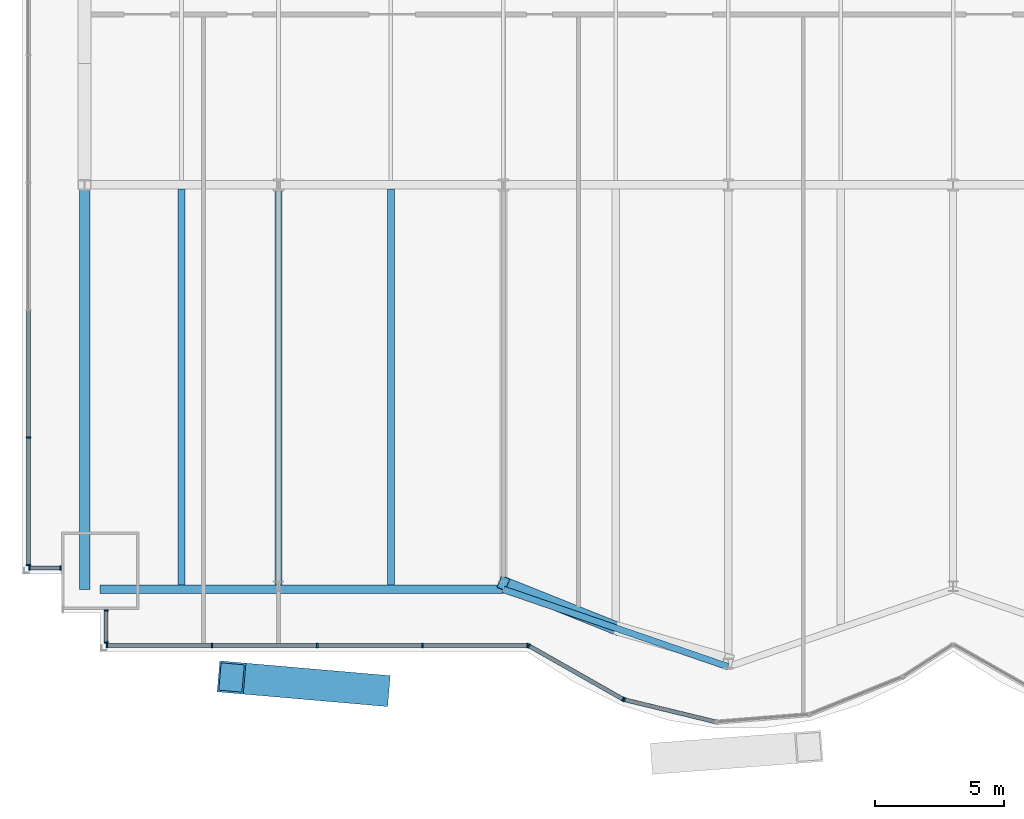
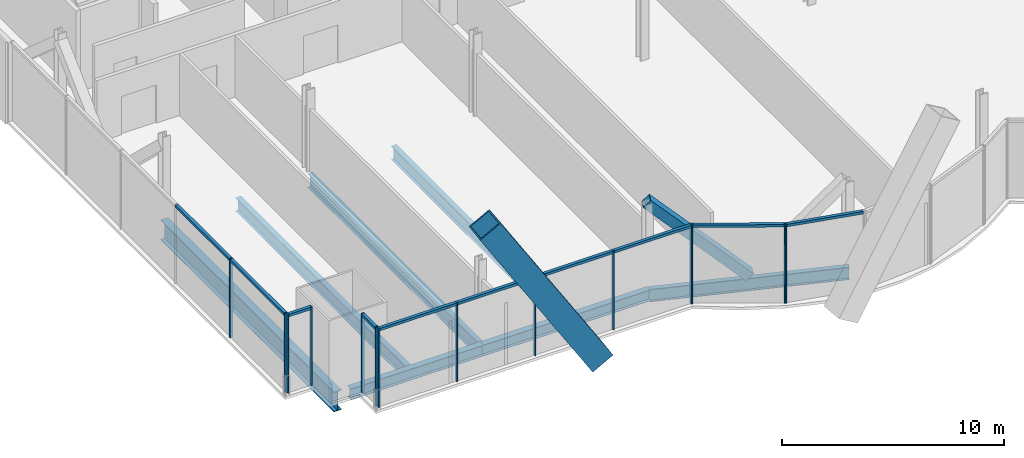
# One storey, part 4 of 22: 26 members, 7 beams, 5 elements without a shape of their own.
"""IFC4 building model written with IfcOpenShell, lengths in metres."""

from ifc_helpers import new_model, si_unit, direction, frame, origin, origin_2d, place, context, subcontext, project, spatial, rectangle, hollow_rectangle, i_section, extrude, material, material_profile, profile_set, type_object, element, aggregate, save


model = new_model("IFC4")

# Units and contexts
model_context = context("Model", 3, precision=1e-05, world=origin(), true_north=direction((0.0, 1.0)))
body_context = subcontext(model_context, "Body", "Model", "MODEL_VIEW")
ifc_project = project(units=[si_unit("LENGTHUNIT", "METRE"), si_unit("AREAUNIT", "SQUARE_METRE"), si_unit("VOLUMEUNIT", "CUBIC_METRE"), si_unit("PLANEANGLEUNIT", "RADIAN"), si_unit("MASSUNIT", "GRAM", prefix="KILO")], contexts=[model_context])

# Site, building, storey
site_placement = place(None, origin())
site = spatial("IfcSite", under=ifc_project, at=site_placement, CompositionType="ELEMENT")
building_placement = place(site_placement, origin())
building = spatial("IfcBuilding", under=site, at=building_placement, Name="Bicima Exchange Tower", CompositionType="ELEMENT")
storey_placement = place(building_placement, frame((0.0, 0.0, 71.0)))
storey = spatial("IfcBuildingStorey", under=building, at=storey_placement, Name="L14", CompositionType="ELEMENT", Elevation=71.0)

# Curtain wall, members
ifc_material_1 = material(Name="Anodised bronze aluminium", Category="aluminium")
curtain_wall_type_1 = type_object("IfcCurtainWallType", Name="End face glass wall", PredefinedType="NOTDEFINED", material=ifc_material_1)
curtain_wall_1_placement = place(storey_placement, origin())
curtain_wall_1 = element("IfcCurtainWall", 1, at=curtain_wall_1_placement, inside=storey, type_object=curtain_wall_type_1, Name="End face glass wall L14 run 2", PredefinedType="NOTDEFINED")
ifc_material_profile_1 = material_profile(ifc_material_1, rectangle(XDim=0.159912109375, YDim=0.06005859375, at=origin_2d()))
ifc_profile_set_1 = profile_set([ifc_material_profile_1], Name="Anodised bronze aluminium")
member_type_1 = type_object("IfcMemberType", Name="End face glass wall mullion 60 x 160", PredefinedType="MULLION", material=ifc_profile_set_1)
member_1_placement = place(storey_placement, frame((-35.77001953125, -31.7724609375, 0.0), z_axis=(0.0, 0.0, 1.0), x_axis=(1.0, 0.0, 0.0)))
member_1 = element("IfcMember", 2, at=member_1_placement, type_object=member_type_1, Name="End face glass wall mullion 5", PredefinedType="MULLION", context=body_context, shape_type="SweptSolid", body=[
    extrude(rectangle(XDim=0.159912109375, YDim=0.06005859375, at=origin_2d()), origin(), (0.0, 0.0, 1.0), 4.35009765625),
])
member_2_placement = place(storey_placement, frame((-35.77001953125, -36.7080078125, 0.0), z_axis=(0.0, 0.0, 1.0), x_axis=(1.0, 0.0, 0.0)))
member_2 = element("IfcMember", 3, at=member_2_placement, type_object=member_type_1, Name="End face glass wall mullion 6", PredefinedType="MULLION", context=body_context, shape_type="SweptSolid", body=[
    extrude(rectangle(XDim=0.159912109375, YDim=0.06005859375, at=origin_2d()), origin(), (0.0, 0.0, 1.0), 4.35009765625),
])
ifc_material_profile_2 = material_profile(ifc_material_1, rectangle(XDim=0.159912109375, YDim=0.139892578125, at=origin_2d()))
ifc_profile_set_2 = profile_set([ifc_material_profile_2], Name="Anodised bronze aluminium")
member_type_2 = type_object("IfcMemberType", Name="End face glass wall transom 140 x 160", PredefinedType="USERDEFINED", material=ifc_profile_set_2)
member_3_placement = place(storey_placement, frame((-35.77001953125, -26.86669921875, 4.280029296875), z_axis=(0.0, -1.0, 0.0), x_axis=(1.0, 0.0, 0.0)))
member_3 = element("IfcMember", 4, at=member_3_placement, type_object=member_type_2, Name="End face glass wall transom 4.1", ObjectType="TRANSOM", PredefinedType="USERDEFINED", context=body_context, shape_type="SweptSolid", body=[
    extrude(rectangle(XDim=0.159912109375, YDim=0.139892578125, at=origin_2d()), origin(), (0.0, 0.0, 1.0), 4.875732421875),
])
member_4_placement = place(storey_placement, frame((-35.77001953125, -31.802490234375, 4.280029296875), z_axis=(0.0, -1.0, 0.0), x_axis=(1.0, 0.0, 0.0)))
member_4 = element("IfcMember", 5, at=member_4_placement, type_object=member_type_2, Name="End face glass wall transom 5.1", ObjectType="TRANSOM", PredefinedType="USERDEFINED", context=body_context, shape_type="SweptSolid", body=[
    extrude(rectangle(XDim=0.159912109375, YDim=0.139892578125, at=origin_2d()), origin(), (0.0, 0.0, 1.0), 4.87548828125),
])
aggregate(curtain_wall_1, [member_1, member_2, member_3, member_4])

# Beam
ifc_material_2 = material(Name="Steel ASTM A992 Gr 50", Category="steel")
ifc_material_profile_3 = material_profile(ifc_material_2, i_section(OverallWidth=0.4013671875, OverallDepth=1.089599609375, WebThickness=0.01806640625, FlangeThickness=0.031005859375, at=origin_2d()))
ifc_profile_set_3 = profile_set([ifc_material_profile_3], Name="Steel ASTM A992 Gr 50")
beam_type_1 = type_object("IfcBeamType", Name="End girder W44x230", PredefinedType="BEAM", material=ifc_profile_set_3)
beam_1_placement = place(storey_placement, frame((-33.60009765625, -22.0, -0.69482421875), z_axis=(0.0, -1.0, 0.0), x_axis=(1.0, 0.0, 0.0)))
element("IfcBeam", 6, at=beam_1_placement, inside=storey, type_object=beam_type_1, Name="End girder", PredefinedType="BEAM", context=body_context, shape_type="SweptSolid", body=[
    extrude(i_section(OverallWidth=0.4013671875, OverallDepth=1.089599609375, WebThickness=0.01806640625, FlangeThickness=0.031005859375, at=origin_2d()), origin(), (0.0, 0.0, 1.0), 15.64794921875),
])

# Member
ifc_material_3 = material(Name="Steel ASTM A572 Gr 50", Category="steel")
ifc_material_profile_4 = material_profile(ifc_material_3, hollow_rectangle(XDim=1.199951171875, YDim=1.199951171875, WallThickness=0.070068359375, at=origin_2d()))
ifc_profile_set_4 = profile_set([ifc_material_profile_4], Name="Steel ASTM A572 Gr 50")
member_type_3 = type_object("IfcMemberType", Name="Exo mega brace BOX 1200x1200x70", PredefinedType="BRACE", material=ifc_profile_set_4)
member_5_placement = place(storey_placement, frame((-22.333251953125, -41.539794921875, 0.14990234375), z_axis=(-0.529804339421, 0.045914831689, 0.846876136257), x_axis=(-0.086340124838, -0.996265718994, 0.0)))
element("IfcMember", 7, at=member_5_placement, inside=storey, type_object=member_type_3, Name="Exo mega brace front", PredefinedType="BRACE", context=body_context, shape_type="SweptSolid", body=[
    extrude(hollow_rectangle(XDim=1.199951171875, YDim=1.199951171875, WallThickness=0.070068359375, at=origin_2d()), origin(), (0.0, 0.0, 1.0), 10.538818359375),
])

# Beams
ifc_material_profile_5 = material_profile(ifc_material_2, i_section(OverallWidth=0.2666015625, OverallDepth=0.75439453125, WebThickness=0.01318359375, FlangeThickness=0.01708984375, at=origin_2d()))
ifc_profile_set_5 = profile_set([ifc_material_profile_5], Name="Steel ASTM A992 Gr 50")
beam_type_2 = type_object("IfcBeamType", Name="Floor beam W30x99", PredefinedType="JOIST", material=ifc_profile_set_5)
for number, where, z_axis, x_axis, name in (
    (8, (-29.85009765625, -22.16259765625, -0.527099609375), (0.0, -1.0, 0.0), (1.0, 0.0, 0.0), "Floor beam"),
    (9, (-26.10009765625, -22.16259765625, -0.527099609375), (0.0, -1.0, 0.0), (1.0, 0.0, 0.0), "Floor beam"),
    (10, (-21.75, -22.16259765625, -0.527099609375), (0.0, -1.0, 0.0), (1.0, 0.0, 0.0), "Floor beam"),
):
    element("IfcBeam", number, at=place(storey_placement, frame(where, z_axis=z_axis, x_axis=x_axis)), inside=storey, type_object=beam_type_2, Name=name, PredefinedType="JOIST", context=body_context, shape_type="SweptSolid", body=[
        extrude(i_section(OverallWidth=0.2666015625, OverallDepth=0.75439453125, WebThickness=0.01318359375, FlangeThickness=0.01708984375, at=origin_2d()), origin(), (0.0, 0.0, 1.0), 15.32275390625),
    ])
ifc_material_profile_6 = material_profile(ifc_material_2, i_section(OverallWidth=0.3251953125, OverallDepth=0.612060546875, WebThickness=0.0126953125, FlangeThickness=0.01904296875, at=origin_2d()))
ifc_profile_set_6 = profile_set([ifc_material_profile_6], Name="Steel ASTM A992 Gr 50")
beam_type_3 = type_object("IfcBeamType", Name="Front girder W24x104", PredefinedType="BEAM", material=ifc_profile_set_6)
beam_2_placement = place(storey_placement, frame((-33.0, -37.64794921875, -0.4560546875), z_axis=(1.0, 0.0, 0.0), x_axis=(0.0, 1.0, 0.0)))
element("IfcBeam", 11, at=beam_2_placement, inside=storey, type_object=beam_type_3, Name="Front girder", PredefinedType="BEAM", context=body_context, shape_type="SweptSolid", body=[
    extrude(i_section(OverallWidth=0.3251953125, OverallDepth=0.612060546875, WebThickness=0.0126953125, FlangeThickness=0.01904296875, at=origin_2d()), origin(), (0.0, 0.0, 1.0), 6.89990234375),
])
beam_3_placement = place(storey_placement, frame((-26.10009765625, -37.64794921875, -0.4560546875), z_axis=(1.0, 0.0, 0.0), x_axis=(0.0, 1.0, 0.0)))
element("IfcBeam", 12, at=beam_3_placement, inside=storey, type_object=beam_type_3, Name="Front girder", PredefinedType="BEAM", context=body_context, shape_type="SweptSolid", body=[
    extrude(i_section(OverallWidth=0.3251953125, OverallDepth=0.612060546875, WebThickness=0.0126953125, FlangeThickness=0.01904296875, at=origin_2d()), origin(), (0.0, 0.0, 1.0), 8.7001953125),
])
ifc_material_profile_7 = material_profile(ifc_material_2, i_section(OverallWidth=0.256591796875, OverallDepth=0.693359375, WebThickness=0.014404296875, FlangeThickness=0.023681640625, at=origin_2d()))
ifc_profile_set_7 = profile_set([ifc_material_profile_7], Name="Steel ASTM A992 Gr 50")
beam_type_4 = type_object("IfcBeamType", Name="Front girder W27x114", PredefinedType="BEAM", material=ifc_profile_set_7)
beam_4_placement = place(storey_placement, frame((-17.39990234375, -37.64794921875, -0.49658203125), z_axis=(0.945666456746, -0.325138359143, 0.0), x_axis=(0.325138359143, 0.945666456746, 0.0)))
element("IfcBeam", 13, at=beam_4_placement, inside=storey, type_object=beam_type_4, Name="Front girder", PredefinedType="BEAM", context=body_context, shape_type="SweptSolid", body=[
    extrude(i_section(OverallWidth=0.256591796875, OverallDepth=0.693359375, WebThickness=0.014404296875, FlangeThickness=0.023681640625, at=origin_2d()), origin(), (0.0, 0.0, 1.0), 9.19970703125),
])

# Curtain wall, members
curtain_wall_type_2 = type_object("IfcCurtainWallType", Name="Front glass wall", PredefinedType="NOTDEFINED", material=ifc_material_1)
curtain_wall_2_placement = place(storey_placement, origin())
curtain_wall_2 = element("IfcCurtainWall", 14, at=curtain_wall_2_placement, inside=storey, type_object=curtain_wall_type_2, Name="Front glass wall L14 run 3", PredefinedType="NOTDEFINED")
member_type_4 = type_object("IfcMemberType", Name="Front glass wall mullion 60 x 160", PredefinedType="MULLION", material=ifc_profile_set_1)
member_6_placement = place(storey_placement, frame((-35.739990234375, -36.818115234375, 0.0), z_axis=(0.0, 0.0, 1.0), x_axis=(0.0, 1.0, 0.0)))
member_6 = element("IfcMember", 15, at=member_6_placement, type_object=member_type_4, Name="Front glass wall mullion 1", PredefinedType="MULLION", context=body_context, shape_type="SweptSolid", body=[
    extrude(rectangle(XDim=0.159912109375, YDim=0.06005859375, at=origin_2d()), origin(), (0.0, 0.0, 1.0), 4.35009765625),
])
member_7_placement = place(storey_placement, frame((-34.530029296875, -36.818115234375, 0.0), z_axis=(0.0, 0.0, 1.0), x_axis=(0.0, 1.0, 0.0)))
member_7 = element("IfcMember", 16, at=member_7_placement, type_object=member_type_4, Name="Front glass wall mullion 2", PredefinedType="MULLION", context=body_context, shape_type="SweptSolid", body=[
    extrude(rectangle(XDim=0.159912109375, YDim=0.06005859375, at=origin_2d()), origin(), (0.0, 0.0, 1.0), 4.35009765625),
])

curtain_wall_3_placement = place(storey_placement, origin())
curtain_wall_3 = element("IfcCurtainWall", 17, at=curtain_wall_3_placement, inside=storey, type_object=curtain_wall_type_2, Name="Front glass wall L14 run 4", PredefinedType="NOTDEFINED")
member_8_placement = place(storey_placement, frame((-32.77001953125, -38.4560546875, 0.0), z_axis=(0.0, 0.0, 1.0), x_axis=(1.0, 0.0, 0.0)))
member_8 = element("IfcMember", 18, at=member_8_placement, type_object=member_type_4, Name="Front glass wall mullion 1", PredefinedType="MULLION", context=body_context, shape_type="SweptSolid", body=[
    extrude(rectangle(XDim=0.159912109375, YDim=0.06005859375, at=origin_2d()), origin(), (0.0, 0.0, 1.0), 4.35009765625),
])
member_9_placement = place(storey_placement, frame((-32.77001953125, -39.7080078125, 0.0), z_axis=(0.0, 0.0, 1.0), x_axis=(1.0, 0.0, 0.0)))
member_9 = element("IfcMember", 19, at=member_9_placement, type_object=member_type_4, Name="Front glass wall mullion 2", PredefinedType="MULLION", context=body_context, shape_type="SweptSolid", body=[
    extrude(rectangle(XDim=0.159912109375, YDim=0.06005859375, at=origin_2d()), origin(), (0.0, 0.0, 1.0), 4.35009765625),
])

curtain_wall_4_placement = place(storey_placement, origin())
curtain_wall_4 = element("IfcCurtainWall", 20, at=curtain_wall_4_placement, inside=storey, type_object=curtain_wall_type_2, Name="Front glass wall L14 run 5", PredefinedType="NOTDEFINED")
member_10_placement = place(storey_placement, frame((-32.739990234375, -39.818115234375, 0.0), z_axis=(0.0, 0.0, 1.0), x_axis=(0.0, 1.0, 0.0)))
member_10 = element("IfcMember", 21, at=member_10_placement, type_object=member_type_4, Name="Front glass wall mullion 1", PredefinedType="MULLION", context=body_context, shape_type="SweptSolid", body=[
    extrude(rectangle(XDim=0.159912109375, YDim=0.06005859375, at=origin_2d()), origin(), (0.0, 0.0, 1.0), 4.35009765625),
])
member_11_placement = place(storey_placement, frame((-28.67041015625, -39.818115234375, 0.0), z_axis=(0.0, 0.0, 1.0), x_axis=(0.0, 1.0, 0.0)))
member_11 = element("IfcMember", 22, at=member_11_placement, type_object=member_type_4, Name="Front glass wall mullion 2", PredefinedType="MULLION", context=body_context, shape_type="SweptSolid", body=[
    extrude(rectangle(XDim=0.159912109375, YDim=0.06005859375, at=origin_2d()), origin(), (0.0, 0.0, 1.0), 4.35009765625),
])
member_12_placement = place(storey_placement, frame((-24.60107421875, -39.818115234375, 0.0), z_axis=(0.0, 0.0, 1.0), x_axis=(0.0, 1.0, 0.0)))
member_12 = element("IfcMember", 23, at=member_12_placement, type_object=member_type_4, Name="Front glass wall mullion 3", PredefinedType="MULLION", context=body_context, shape_type="SweptSolid", body=[
    extrude(rectangle(XDim=0.159912109375, YDim=0.06005859375, at=origin_2d()), origin(), (0.0, 0.0, 1.0), 4.35009765625),
])
member_13_placement = place(storey_placement, frame((-20.531494140625, -39.818115234375, 0.0), z_axis=(0.0, 0.0, 1.0), x_axis=(0.0, 1.0, 0.0)))
member_13 = element("IfcMember", 24, at=member_13_placement, type_object=member_type_4, Name="Front glass wall mullion 4", PredefinedType="MULLION", context=body_context, shape_type="SweptSolid", body=[
    extrude(rectangle(XDim=0.159912109375, YDim=0.06005859375, at=origin_2d()), origin(), (0.0, 0.0, 1.0), 4.35009765625),
])
member_14_placement = place(storey_placement, frame((-16.462158203125, -39.818115234375, 0.0), z_axis=(0.0, 0.0, 1.0), x_axis=(0.0, 1.0, 0.0)))
member_14 = element("IfcMember", 25, at=member_14_placement, type_object=member_type_4, Name="Front glass wall mullion 5", PredefinedType="MULLION", context=body_context, shape_type="SweptSolid", body=[
    extrude(rectangle(XDim=0.159912109375, YDim=0.06005859375, at=origin_2d()), origin(), (0.0, 0.0, 1.0), 4.35009765625),
])

curtain_wall_5_placement = place(storey_placement, origin())
curtain_wall_5 = element("IfcCurtainWall", 26, at=curtain_wall_5_placement, inside=storey, type_object=curtain_wall_type_2, Name="Front glass wall L14 run 6", PredefinedType="NOTDEFINED")
member_15_placement = place(storey_placement, frame((-16.406005859375, -39.832763671875, 0.0), z_axis=(0.0, 0.0, 1.0), x_axis=(0.493395449343, 0.869805110681, 0.0)))
member_15 = element("IfcMember", 27, at=member_15_placement, type_object=member_type_4, Name="Front glass wall mullion 1", PredefinedType="MULLION", context=body_context, shape_type="SweptSolid", body=[
    extrude(rectangle(XDim=0.159912109375, YDim=0.06005859375, at=origin_2d()), origin(), (0.0, 0.0, 1.0), 4.35009765625),
])
member_16_placement = place(storey_placement, frame((-12.7734375, -41.893310546875, 0.0), z_axis=(0.0, 0.0, 1.0), x_axis=(0.493395449343, 0.869805110681, 0.0)))
member_16 = element("IfcMember", 28, at=member_16_placement, type_object=member_type_4, Name="Front glass wall mullion 2", PredefinedType="MULLION", context=body_context, shape_type="SweptSolid", body=[
    extrude(rectangle(XDim=0.159912109375, YDim=0.06005859375, at=origin_2d()), origin(), (0.0, 0.0, 1.0), 4.35009765625),
])
member_17_placement = place(storey_placement, frame((-12.718017578125, -41.915283203125, 0.0), z_axis=(0.0, 0.0, 1.0), x_axis=(0.235681529503, 0.971830343553, 0.0)))
member_17 = element("IfcMember", 29, at=member_17_placement, type_object=member_type_4, Name="Front glass wall mullion 1", PredefinedType="MULLION", context=body_context, shape_type="SweptSolid", body=[
    extrude(rectangle(XDim=0.159912109375, YDim=0.06005859375, at=origin_2d()), origin(), (0.0, 0.0, 1.0), 4.35009765625),
])

# Member
member_type_5 = type_object("IfcMemberType", Name="Front glass wall transom 140 x 160", PredefinedType="USERDEFINED", material=ifc_profile_set_2)
member_18_placement = place(storey_placement, frame((-35.7099609375, -36.818115234375, 4.280029296875), z_axis=(1.0, 0.0, 0.0), x_axis=(0.0, 1.0, 0.0)))
member_18 = element("IfcMember", 30, at=member_18_placement, type_object=member_type_5, Name="Front glass wall transom 1.1", ObjectType="TRANSOM", PredefinedType="USERDEFINED", context=body_context, shape_type="SweptSolid", body=[
    extrude(rectangle(XDim=0.159912109375, YDim=0.139892578125, at=origin_2d()), origin(), (0.0, 0.0, 1.0), 1.14990234375),
])

aggregate(curtain_wall_2, [member_6, member_7, member_18])

member_19_placement = place(storey_placement, frame((-32.77001953125, -38.486083984375, 4.280029296875), z_axis=(0.0, -1.0, 0.0), x_axis=(1.0, 0.0, 0.0)))
member_19 = element("IfcMember", 31, at=member_19_placement, type_object=member_type_5, Name="Front glass wall transom 1.1", ObjectType="TRANSOM", PredefinedType="USERDEFINED", context=body_context, shape_type="SweptSolid", body=[
    extrude(rectangle(XDim=0.159912109375, YDim=0.139892578125, at=origin_2d()), origin(), (0.0, 0.0, 1.0), 1.19189453125),
])

aggregate(curtain_wall_3, [member_8, member_9, member_19])

member_20_placement = place(storey_placement, frame((-32.7099609375, -39.818115234375, 4.280029296875), z_axis=(1.0, 0.0, 0.0), x_axis=(0.0, 1.0, 0.0)))
member_20 = element("IfcMember", 32, at=member_20_placement, type_object=member_type_5, Name="Front glass wall transom 1.1", ObjectType="TRANSOM", PredefinedType="USERDEFINED", context=body_context, shape_type="SweptSolid", body=[
    extrude(rectangle(XDim=0.159912109375, YDim=0.139892578125, at=origin_2d()), origin(), (0.0, 0.0, 1.0), 4.009521484375),
])

member_21_placement = place(storey_placement, frame((-28.640380859375, -39.818115234375, 4.280029296875), z_axis=(1.0, 0.0, 0.0), x_axis=(0.0, 1.0, 0.0)))
member_21 = element("IfcMember", 33, at=member_21_placement, type_object=member_type_5, Name="Front glass wall transom 2.1", ObjectType="TRANSOM", PredefinedType="USERDEFINED", context=body_context, shape_type="SweptSolid", body=[
    extrude(rectangle(XDim=0.159912109375, YDim=0.139892578125, at=origin_2d()), origin(), (0.0, 0.0, 1.0), 4.00927734375),
])

member_22_placement = place(storey_placement, frame((-24.571044921875, -39.818115234375, 4.280029296875), z_axis=(1.0, 0.0, 0.0), x_axis=(0.0, 1.0, 0.0)))
member_22 = element("IfcMember", 34, at=member_22_placement, type_object=member_type_5, Name="Front glass wall transom 3.1", ObjectType="TRANSOM", PredefinedType="USERDEFINED", context=body_context, shape_type="SweptSolid", body=[
    extrude(rectangle(XDim=0.159912109375, YDim=0.139892578125, at=origin_2d()), origin(), (0.0, 0.0, 1.0), 4.009521484375),
])

member_23_placement = place(storey_placement, frame((-20.501708984375, -39.818115234375, 4.280029296875), z_axis=(1.0, 0.0, 0.0), x_axis=(0.0, 1.0, 0.0)))
member_23 = element("IfcMember", 35, at=member_23_placement, type_object=member_type_5, Name="Front glass wall transom 4.1", ObjectType="TRANSOM", PredefinedType="USERDEFINED", context=body_context, shape_type="SweptSolid", body=[
    extrude(rectangle(XDim=0.159912109375, YDim=0.139892578125, at=origin_2d()), origin(), (0.0, 0.0, 1.0), 4.009521484375),
])

aggregate(curtain_wall_4, [member_10, member_11, member_12, member_13, member_14, member_20, member_21, member_22, member_23])

member_24_placement = place(storey_placement, frame((-16.3798828125, -39.84765625, 4.280029296875), z_axis=(0.869797371721, -0.49340909208, 0.0), x_axis=(0.49340909208, 0.869797371721, 0.0)))
member_24 = element("IfcMember", 36, at=member_24_placement, type_object=member_type_5, Name="Front glass wall transom 1.1", ObjectType="TRANSOM", PredefinedType="USERDEFINED", context=body_context, shape_type="SweptSolid", body=[
    extrude(rectangle(XDim=0.159912109375, YDim=0.139892578125, at=origin_2d()), origin(), (0.0, 0.0, 1.0), 4.1162109375),
])

member_25_placement = place(storey_placement, frame((-12.68896484375, -41.92236328125, 4.280029296875), z_axis=(0.971833557815, -0.235668275132, 0.0), x_axis=(0.235668275132, 0.971833557815, 0.0)))
member_25 = element("IfcMember", 37, at=member_25_placement, type_object=member_type_5, Name="Front glass wall transom 1.1", ObjectType="TRANSOM", PredefinedType="USERDEFINED", context=body_context, shape_type="SweptSolid", body=[
    extrude(rectangle(XDim=0.159912109375, YDim=0.139892578125, at=origin_2d()), origin(), (0.0, 0.0, 1.0), 3.583251953125),
])

aggregate(curtain_wall_5, [member_15, member_16, member_24, member_17, member_25])

ifc_material_profile_8 = material_profile(ifc_material_3, hollow_rectangle(XDim=0.508056640625, YDim=0.508056640625, WallThickness=0.017822265625, at=origin_2d()))
ifc_profile_set_8 = profile_set([ifc_material_profile_8], Name="Steel ASTM A572 Gr 50")
member_type_6 = type_object("IfcMemberType", Name="Mega brace HSS20x20x3/4", PredefinedType="BRACE", material=ifc_profile_set_8)
member_26_placement = place(storey_placement, frame((-13.050048828125, -39.1435546875, 0.0), z_axis=(-0.669627633412, 0.267783402821, 0.692741569234), x_axis=(-0.371309808925, -0.928509033772, 0.0)))
element("IfcMember", 38, at=member_26_placement, inside=storey, type_object=member_type_6, Name="Mega brace front", PredefinedType="BRACE", context=body_context, shape_type="SweptSolid", body=[
    extrude(hollow_rectangle(XDim=0.508056640625, YDim=0.508056640625, WallThickness=0.017822265625, at=origin_2d()), origin(), (0.0, 0.0, 1.0), 6.495849609375),
])

save(model, "model.ifc")
